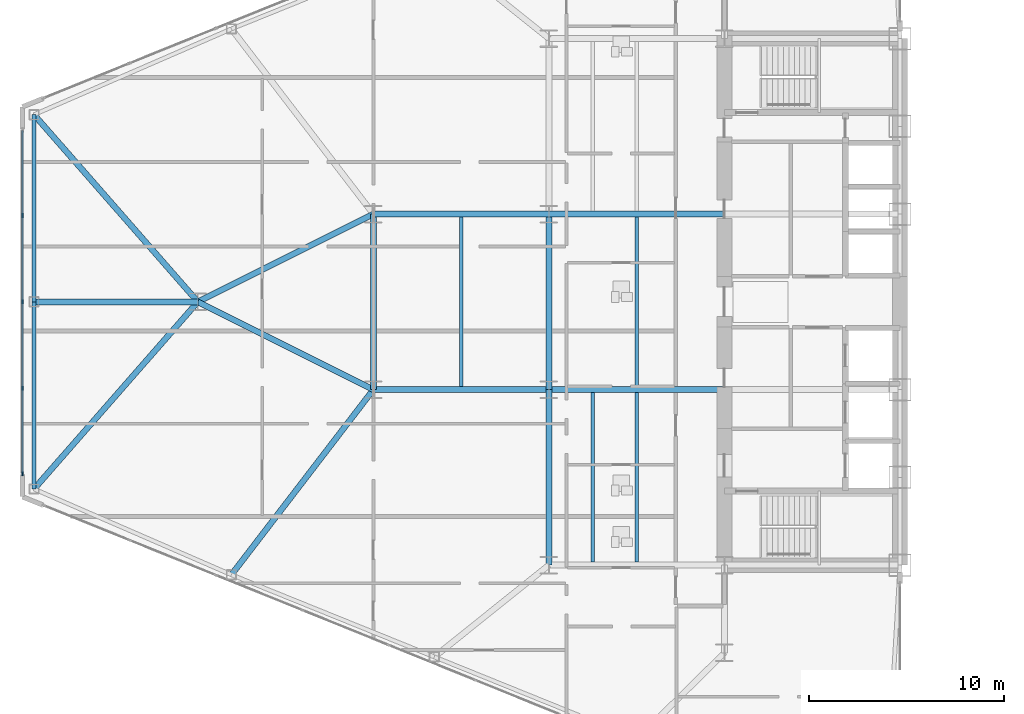
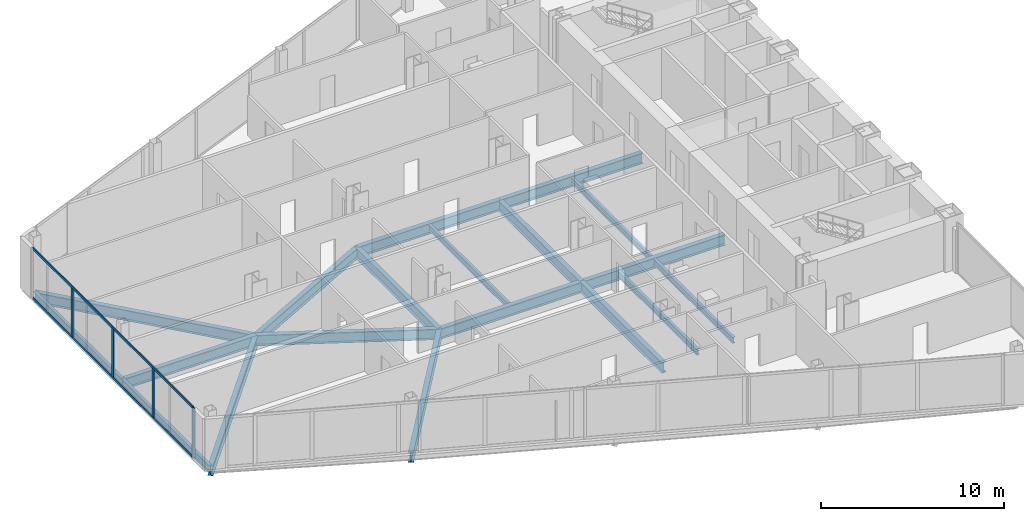
# One storey, part 4 of 25: 19 beams, 6 members, 1 element without a shape of its own.
"""IFC4 building model written with IfcOpenShell, lengths in metres."""

from ifc_helpers import new_model, si_unit, direction, frame, origin, origin_2d, place, context, subcontext, project, spatial, rectangle, i_section, extrude, source, transform, mapped, material, layer, layer_set, material_profile, profile_set, type_object, type_shapes, element, aggregate, save


model = new_model("IFC4")

# Units and contexts
model_context = context("Model", 3, precision=1e-05, world=origin(), true_north=direction((0.0, 1.0)))
body_context = subcontext(model_context, "Body", "Model", "MODEL_VIEW")
ifc_project = project(units=[si_unit("LENGTHUNIT", "METRE"), si_unit("AREAUNIT", "SQUARE_METRE"), si_unit("VOLUMEUNIT", "CUBIC_METRE"), si_unit("PLANEANGLEUNIT", "RADIAN"), si_unit("MASSUNIT", "GRAM", prefix="KILO")], contexts=[model_context])

# Site, building, storey
site_placement = place(None, origin())
site = spatial("IfcSite", under=ifc_project, at=site_placement, CompositionType="ELEMENT")
building_placement = place(site_placement, origin())
building = spatial("IfcBuilding", under=site, at=building_placement, Name="Seokmaru Belvedere", CompositionType="ELEMENT")
storey_placement = place(building_placement, frame((0.0, 0.0, 40.5)))
storey = spatial("IfcBuildingStorey", under=building, at=storey_placement, Name="L10", CompositionType="ELEMENT", Elevation=40.5)

# Beams
ifc_material_1 = material(Name="Steel SM355 (355 MPa)", Category="steel")
ifc_material_profile_1 = material_profile(ifc_material_1, i_section(OverallWidth=0.300048828125, OverallDepth=0.699951171875, WebThickness=0.012939453125, FlangeThickness=0.02392578125, at=origin_2d()), Name="H-700x300x13x24")
ifc_profile_set_1 = profile_set([ifc_material_profile_1], Name="Steel SM355 (355 MPa)")
beam_type_1 = type_object("IfcBeamType", Name="Primary Floor Girder H-700", PredefinedType="BEAM", material=ifc_profile_set_1)
shared_shape_1 = source(origin(), body_context, "Body", "SweptSolid", [
    extrude(i_section(OverallWidth=0.300048828125, OverallDepth=0.699951171875, WebThickness=0.012939453125, FlangeThickness=0.02392578125, at=origin_2d()), origin(), (0.0, 0.0, 1.0), 9.0),
])
for number, where, z_axis, x_axis, name in (
    (1, (-45.5, -13.5, -0.570068359375), (0.0, 1.0, 0.0), (-1.0, 0.0, 0.0), "L10 W Interior Grid Girder 1"),
    (2, (-45.5, -4.5, -0.570068359375), (0.0, 1.0, 0.0), (-1.0, 0.0, 0.0), "L10 W Interior Grid Girder 2"),
    (3, (-45.5, -4.5, -0.570068359375), (1.0, 0.0, 0.0), (0.0, 1.0, 0.0), "L10 W Wing Primary Girder 2"),
    (4, (-45.5, 4.5, -0.570068359375), (1.0, 0.0, 0.0), (0.0, 1.0, 0.0), "L10 W Wing Primary Girder 3"),
    (5, (-54.5, -4.5, -0.570068359375), (1.0, 0.0, 0.0), (0.0, 1.0, 0.0), "L10 W Outer Wing Girder 1"),
    (6, (-54.5, 4.5, -0.570068359375), (1.0, 0.0, 0.0), (0.0, 1.0, 0.0), "L10 W Outer Wing Girder 2"),
    (7, (-54.5, -4.5, -0.570068359375), (0.0, 1.0, 0.0), (-1.0, 0.0, 0.0), "L10 W Apex Frame Girder"),
):
    element("IfcBeam", number, at=place(storey_placement, frame(where, z_axis=z_axis, x_axis=x_axis)), inside=storey, type_object=beam_type_1, Name=name, PredefinedType="BEAM", context=body_context, shape_type="MappedRepresentation", body=[
        mapped(shared_shape_1, transform((0.0, 0.0, 0.0), scale=1.0)),
    ])
shared_shape_2 = source(origin(), body_context, "Body", "SweptSolid", [
    extrude(i_section(OverallWidth=0.300048828125, OverallDepth=0.699951171875, WebThickness=0.012939453125, FlangeThickness=0.02392578125, at=origin_2d()), origin(), (0.0, 0.0, 1.0), 10.062255859375),
])
for number, where, z_axis, x_axis, name in (
    (8, (-54.5, -4.5, -0.570068359375), (-0.894427191, 0.4472135955, 0.0), (-0.4472135955, -0.894427191, 0.0), "L10 W Apex Converging Girder 1"),
    (9, (-54.5, 4.5, -0.570068359375), (-0.894427191, -0.4472135955, 0.0), (0.4472135955, -0.894427191, 0.0), "L10 W Apex Converging Girder 2"),
):
    element("IfcBeam", number, at=place(storey_placement, frame(where, z_axis=z_axis, x_axis=x_axis)), inside=storey, type_object=beam_type_1, Name=name, PredefinedType="BEAM", context=body_context, shape_type="MappedRepresentation", body=[
        mapped(shared_shape_2, transform((0.0, 0.0, 0.0), scale=1.0)),
    ])
ifc_material_profile_2 = material_profile(ifc_material_1, i_section(OverallWidth=0.18505859375, OverallDepth=0.389892578125, WebThickness=0.008056640625, FlangeThickness=0.011962890625, at=origin_2d()), Name="H-390x185x8x12")
ifc_profile_set_2 = profile_set([ifc_material_profile_2], Name="Steel SM355 (355 MPa)")
beam_type_2 = type_object("IfcBeamType", Name="Secondary Floor Joist H-350", PredefinedType="JOIST", material=ifc_profile_set_2)
shared_shape_3 = source(origin(), body_context, "Body", "SweptSolid", [
    extrude(i_section(OverallWidth=0.18505859375, OverallDepth=0.389892578125, WebThickness=0.008056640625, FlangeThickness=0.011962890625, at=origin_2d()), origin(), (0.0, 0.0, 1.0), 8.68994140625),
])
type_shapes(beam_type_2, [shared_shape_3])
for number, where, z_axis, x_axis, name in (
    (10, (-43.25, -13.344970703125, -0.4150390625), (0.0, 1.0, 0.0), (-1.0, 0.0, 0.0), "L10 W Wing Inner Secondary Joist 1"),
    (11, (-41.0, -13.344970703125, -0.4150390625), (0.0, 1.0, 0.0), (-1.0, 0.0, 0.0), "L10 W Secondary Floor Joist 1"),
    (12, (-41.0, -4.344970703125, -0.4150390625), (0.0, 1.0, 0.0), (-1.0, 0.0, 0.0), "L10 W Secondary Floor Joist 2"),
    (13, (-50.0, -4.344970703125, -0.4150390625), (0.0, 1.0, 0.0), (-1.0, 0.0, 0.0), "L10 W Outer Bay Secondary Joist"),
):
    element("IfcBeam", number, at=place(storey_placement, frame(where, z_axis=z_axis, x_axis=x_axis)), inside=storey, type_object=beam_type_2, Name=name, PredefinedType="JOIST", context=body_context, shape_type="MappedRepresentation", body=[
        mapped(shared_shape_3, transform((0.0, 0.0, 0.0), scale=1.0)),
    ])
shared_shape_4 = source(origin(), body_context, "Body", "SweptSolid", [
    extrude(i_section(OverallWidth=0.300048828125, OverallDepth=0.699951171875, WebThickness=0.012939453125, FlangeThickness=0.02392578125, at=origin_2d()), origin(), (0.0, 0.0, 1.0), 12.7529296875),
])
for number, where, z_axis, x_axis, name in (
    (14, (-71.89990234375, -9.595703125, -0.570068359375), (0.658667231479, 0.752434368019, 0.0), (-0.752434368019, 0.658667231479, 0.0), "L10 W Apex Radial Floor Girder 1"),
    (15, (-71.89990234375, 9.595703125, -0.570068359375), (0.658667231479, -0.752434368019, 0.0), (0.752434368019, 0.658667231479, 0.0), "L10 W Apex Radial Floor Girder 2"),
):
    element("IfcBeam", number, at=place(storey_placement, frame(where, z_axis=z_axis, x_axis=x_axis)), inside=storey, type_object=beam_type_1, Name=name, PredefinedType="BEAM", context=body_context, shape_type="MappedRepresentation", body=[
        mapped(shared_shape_4, transform((0.0, 0.0, 0.0), scale=1.0)),
    ])
ifc_material_profile_3 = material_profile(ifc_material_1, i_section(OverallWidth=0.199951171875, OverallDepth=0.5, WebThickness=0.010009765625, FlangeThickness=0.01611328125, at=origin_2d()), Name="H-500x200x10x16")
ifc_profile_set_3 = profile_set([ifc_material_profile_3], Name="Steel SM355 (355 MPa)")
beam_type_3 = type_object("IfcBeamType", Name="Perimeter Spandrel Beam H-500", PredefinedType="SPANDREL", material=ifc_profile_set_3)
shared_shape_5 = source(origin(), body_context, "Body", "SweptSolid", [
    extrude(i_section(OverallWidth=0.199951171875, OverallDepth=0.5, WebThickness=0.010009765625, FlangeThickness=0.01611328125, at=origin_2d()), origin(), (0.0, 0.0, 1.0), 9.595703125),
])
type_shapes(beam_type_3, [shared_shape_5])
for number, where, z_axis, x_axis, name in (
    (16, (-71.89990234375, -9.595703125, -0.469970703125), (0.0, 1.0, 0.0), (-1.0, 0.0, 0.0), "L10 W Faceted Apex Spandrel S"),
    (17, (-71.89990234375, 0.0, -0.469970703125), (0.0, 1.0, 0.0), (-1.0, 0.0, 0.0), "L10 W Faceted Apex Spandrel N"),
):
    element("IfcBeam", number, at=place(storey_placement, frame(where, z_axis=z_axis, x_axis=x_axis)), inside=storey, type_object=beam_type_3, Name=name, PredefinedType="SPANDREL", context=body_context, shape_type="MappedRepresentation", body=[
        mapped(shared_shape_5, transform((0.0, 0.0, 0.0), scale=1.0)),
    ])
shared_shape_6 = source(origin(), body_context, "Body", "SweptSolid", [
    extrude(i_section(OverallWidth=0.300048828125, OverallDepth=0.699951171875, WebThickness=0.012939453125, FlangeThickness=0.02392578125, at=origin_2d()), origin(), (0.0, 0.0, 1.0), 11.96337890625),
])
beam_1_placement = place(storey_placement, frame((-61.779052734375, -13.994140625, -0.570068359375), z_axis=(0.608442682624, 0.793597821294, 0.0), x_axis=(-0.793597821294, 0.608442682624, 0.0)))
element("IfcBeam", 18, at=beam_1_placement, inside=storey, type_object=beam_type_1, Name="L10 W Flank Radial Floor Girder S-3", PredefinedType="BEAM", context=body_context, shape_type="MappedRepresentation", body=[
    mapped(shared_shape_6, transform((0.0, 0.0, 0.0), scale=1.0)),
])
shared_shape_7 = source(origin(), body_context, "Body", "SweptSolid", [
    extrude(i_section(OverallWidth=0.300048828125, OverallDepth=0.699951171875, WebThickness=0.012939453125, FlangeThickness=0.02392578125, at=origin_2d()), origin(), (0.0, 0.0, 1.0), 8.39990234375),
])
type_shapes(beam_type_1, [shared_shape_1, shared_shape_2, shared_shape_4, shared_shape_6, shared_shape_7])
beam_2_placement = place(storey_placement, frame((-71.89990234375, 0.0, -0.570068359375), z_axis=(1.0, 0.0, 0.0), x_axis=(0.0, 1.0, 0.0)))
element("IfcBeam", 19, at=beam_2_placement, inside=storey, type_object=beam_type_1, Name="L10 W Apex Center Radial Girder", PredefinedType="BEAM", context=body_context, shape_type="MappedRepresentation", body=[
    mapped(shared_shape_7, transform((0.0, 0.0, 0.0), scale=1.0)),
])

# Curtain wall, members
ifc_material_2 = material(Name="Bronze Triple Insulating Glass", Category="glass")
ifc_layer = layer(ifc_material_2, 0.2099609375)
ifc_layer_set = layer_set([ifc_layer], Name="Bronze Triple Insulating Glass")
curtain_wall_type = type_object("IfcCurtainWallType", Name="Low-Rise Faceted Crystal Curtain Wall System CW-2", PredefinedType="NOTDEFINED", material=ifc_layer_set)
curtain_wall_placement = place(storey_placement, origin())
curtain_wall = element("IfcCurtainWall", 20, at=curtain_wall_placement, inside=storey, type_object=curtain_wall_type, Name="L10 Curtain Wall WF4", PredefinedType="NOTDEFINED")
ifc_material_3 = material(Name="Anodised Bronze Aluminium", Category="aluminium")
ifc_material_profile_4 = material_profile(ifc_material_3, rectangle(XDim=0.074951171875, YDim=0.2099609375, at=origin_2d()), Name="CW-M-75x210")
ifc_profile_set_4 = profile_set([ifc_material_profile_4], Name="Anodised Bronze Aluminium")
member_type_1 = type_object("IfcMemberType", Name="Bronze Unitised Mullion 75x210", PredefinedType="MULLION", material=ifc_profile_set_4)
shared_shape_8 = source(origin(), body_context, "Body", "SweptSolid", [
    extrude(rectangle(XDim=0.074951171875, YDim=0.2099609375, at=origin_2d()), origin(), (0.0, 0.0, 1.0), 3.239990234375),
])
member_1_placement = place(storey_placement, frame((-72.5, 4.425048828125, 0.070068359375), z_axis=(0.0, 0.0, 1.0), x_axis=(1.0, 0.0, 0.0)))
member_1 = element("IfcMember", 21, at=member_1_placement, type_object=member_type_1, Name="CW:L10:WF4 Mullion 2", PredefinedType="MULLION", context=body_context, shape_type="MappedRepresentation", body=[
    mapped(shared_shape_8, transform((0.0, 0.0, 0.0), scale=1.0)),
])
member_2_placement = place(storey_placement, frame((-72.5, 0.0, 0.070068359375), z_axis=(0.0, 0.0, 1.0), x_axis=(1.0, 0.0, 0.0)))
member_2 = element("IfcMember", 22, at=member_2_placement, type_object=member_type_1, Name="CW:L10:WF4 Mullion 3", PredefinedType="MULLION", context=body_context, shape_type="MappedRepresentation", body=[
    mapped(shared_shape_8, transform((0.0, 0.0, 0.0), scale=1.0)),
])
member_3_placement = place(storey_placement, frame((-72.5, -4.425048828125, 0.070068359375), z_axis=(0.0, 0.0, 1.0), x_axis=(1.0, 0.0, 0.0)))
member_3 = element("IfcMember", 23, at=member_3_placement, type_object=member_type_1, Name="CW:L10:WF4 Mullion 4", PredefinedType="MULLION", context=body_context, shape_type="MappedRepresentation", body=[
    mapped(shared_shape_8, transform((0.0, 0.0, 0.0), scale=1.0)),
])
ifc_material_profile_5 = material_profile(ifc_material_3, rectangle(XDim=0.070068359375, YDim=0.1650390625, at=origin_2d()), Name="CW-T-70x165")
ifc_profile_set_5 = profile_set([ifc_material_profile_5], Name="Anodised Bronze Aluminium")
member_type_2 = type_object("IfcMemberType", Name="Bronze Unitised Transom 70x165", PredefinedType="USERDEFINED", material=ifc_profile_set_5)
shared_shape_9 = source(origin(), body_context, "Body", "SweptSolid", [
    extrude(rectangle(XDim=0.070068359375, YDim=0.1650390625, at=origin_2d()), origin(), (0.0, 0.0, 1.0), 17.5498046875),
])
type_shapes(member_type_2, [shared_shape_9])
member_4_placement = place(storey_placement, frame((-72.5, 8.77490234375, 0.034912109375), z_axis=(0.0, -1.0, 0.0), x_axis=(1.0, 0.0, 0.0)))
member_4 = element("IfcMember", 24, at=member_4_placement, type_object=member_type_2, Name="CW:L10:WF4 Continuous Transom 1", ObjectType="TRANSOM", PredefinedType="USERDEFINED", context=body_context, shape_type="MappedRepresentation", body=[
    mapped(shared_shape_9, transform((0.0, 0.0, 0.0), scale=1.0)),
])
member_5_placement = place(storey_placement, frame((-72.5, 8.77490234375, 3.344970703125), z_axis=(0.0, -1.0, 0.0), x_axis=(1.0, 0.0, 0.0)))
member_5 = element("IfcMember", 25, at=member_5_placement, type_object=member_type_2, Name="CW:L10:WF4 Continuous Transom 2", ObjectType="TRANSOM", PredefinedType="USERDEFINED", context=body_context, shape_type="MappedRepresentation", body=[
    mapped(shared_shape_9, transform((0.0, 0.0, 0.0), scale=1.0)),
])
shared_shape_10 = source(origin(), body_context, "Body", "SweptSolid", [
    extrude(rectangle(XDim=0.074951171875, YDim=0.2099609375, at=origin_2d()), origin(), (0.0, 0.0, 1.0), 3.3798828125),
])
type_shapes(member_type_1, [shared_shape_8, shared_shape_10])
member_6_placement = place(storey_placement, frame((-72.5, -8.8125, 0.0), z_axis=(0.0, 0.0, 1.0), x_axis=(1.0, 0.0, 0.0)))
member_6 = element("IfcMember", 26, at=member_6_placement, type_object=member_type_1, Name="CW:L10:WF4 Mullion 5", PredefinedType="MULLION", context=body_context, shape_type="MappedRepresentation", body=[
    mapped(shared_shape_10, transform((0.0, 0.0, 0.0), scale=1.0)),
])
aggregate(curtain_wall, [member_1, member_2, member_3, member_6, member_4, member_5])

save(model, "model.ifc")
